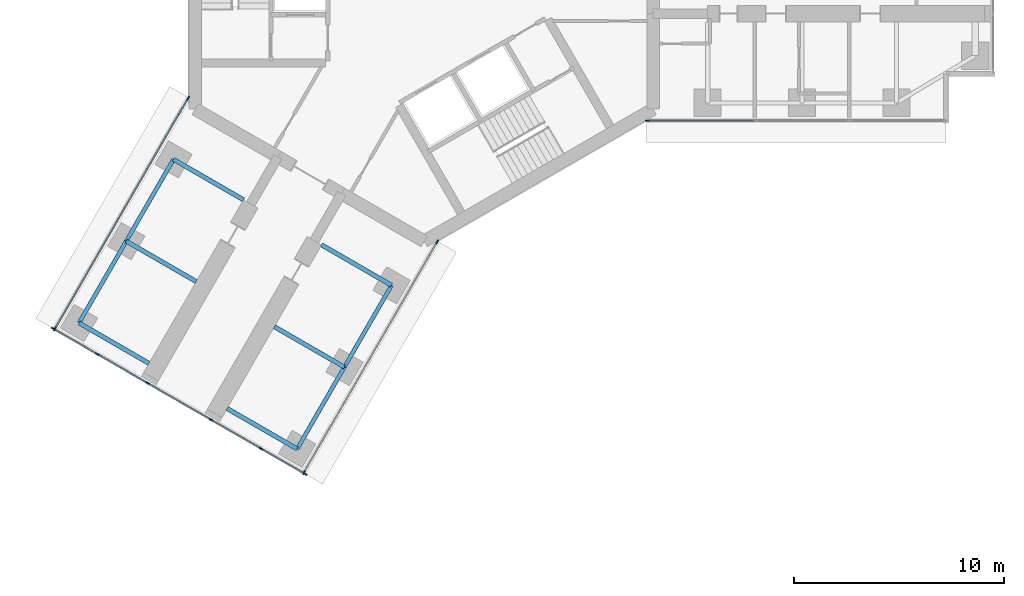
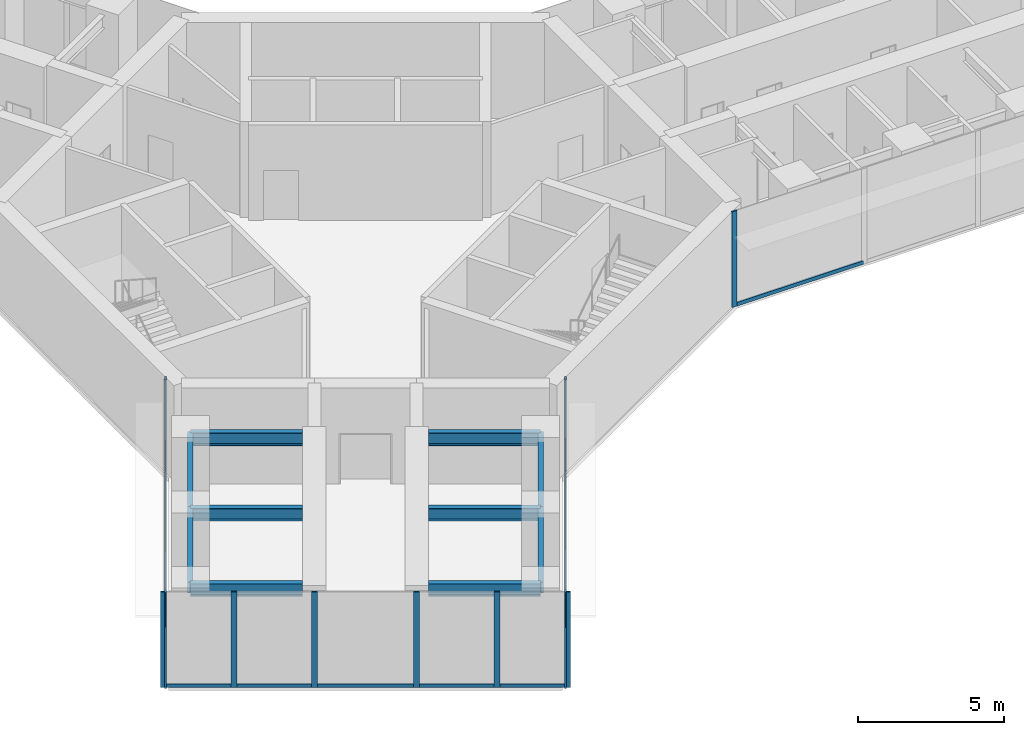
# One storey, part 2 of 22: 19 members, 10 beams, 4 elements without a shape of their own.
"""IFC4 building model written with IfcOpenShell, lengths in metres."""

import ifcopenshell
import ifcopenshell.guid

model = None  # the IFC model being written
_history = None  # IfcOwnerHistory: only IFC2X3 demands one
_inside = {}  # id of a spatial element -> (the spatial element, [elements in it])
_under = {}  # id of a project, library or spatial element -> (it, [spatial elements below it])
_declared = {}  # id of a project -> (the project, [libraries it declares])
_typed = {}  # id of a type object -> (the type object, [elements of that type])
_made_of = {}  # id of a material, layer set ... -> (it, [elements and type objects made of it])


def new_model(schema):
    """Start an empty IFC model of exactly this schema.

    Asked for "IFC4X3", IfcOpenShell would pick the latest addendum, in which some entities
    have other attributes; the version numbers below select the first issue.
    IFC2X3 requires an IfcOwnerHistory on every rooted entity: one is made here for all.
    """
    global model, _history
    if schema == "IFC4X3":
        model = ifcopenshell.file(schema_version=(4, 3, 0, 0))
    else:
        model = ifcopenshell.file(schema=schema)
    _inside.clear()
    _under.clear()
    _declared.clear()
    _typed.clear()
    _made_of.clear()
    _history = None
    if model.schema == "IFC2X3":
        org = make("IfcOrganization", Name="unknown")
        user = make(
            "IfcPersonAndOrganization",
            ThePerson=make("IfcPerson", FamilyName="unknown"),
            TheOrganization=org,
        )
        app = make(
            "IfcApplication",
            ApplicationDeveloper=org,
            Version="unknown",
            ApplicationFullName="unknown",
            ApplicationIdentifier="unknown",
        )
        _history = make(
            "IfcOwnerHistory",
            OwningUser=user,
            OwningApplication=app,
            ChangeAction="ADDED",
            CreationDate=0,
        )
    return model


def make(cls, **values):
    """One entity of the class cls with the attributes given. An attribute that is None is left unset."""
    return model.create_entity(
        cls, **{name: value for name, value in values.items() if value is not None}
    )


def rooted(cls, **values):
    """An entity with a GlobalId (a new one), such as an element, a storey or a relation."""
    return make(cls, GlobalId=ifcopenshell.guid.new(), OwnerHistory=_history, **values)


def si_unit(unit_type, name, prefix=None):
    """IfcSIUnit, for example si_unit("LENGTHUNIT", "METRE", prefix="MILLI")."""
    return make("IfcSIUnit", UnitType=unit_type, Prefix=prefix, Name=name)


def assignment(units):
    """IfcUnitAssignment: the units of a project."""
    return None if units is None else make("IfcUnitAssignment", Units=units)


def point(xyz):
    """IfcCartesianPoint."""
    return None if xyz is None else make("IfcCartesianPoint", Coordinates=xyz)


def direction(xyz):
    """IfcDirection."""
    return None if xyz is None else make("IfcDirection", DirectionRatios=xyz)


def frame(location, z_axis=None, x_axis=None):
    """IfcAxis2Placement3D, a coordinate frame: its origin and axes. An axis left out is left unset."""
    return make(
        "IfcAxis2Placement3D",
        Location=point(location),
        Axis=direction(z_axis),
        RefDirection=direction(x_axis),
    )


def frame_2d(location, x_axis=None):
    """IfcAxis2Placement2D, a coordinate frame in the plane: its origin and x axis."""
    return make(
        "IfcAxis2Placement2D", Location=point(location), RefDirection=direction(x_axis)
    )


def origin():
    """The frame at (0, 0, 0) with its axes left unset."""
    return frame((0.0, 0.0, 0.0))


def origin_2d():
    """The frame at (0, 0) in the plane with its x axis left unset."""
    return frame_2d((0.0, 0.0))


def place(relative_to, where):
    """IfcLocalPlacement: puts the frame where relative to a parent placement (None: the world)."""
    return make(
        "IfcLocalPlacement", PlacementRelTo=relative_to, RelativePlacement=where
    )


def context(
    kind, dimensions, precision=None, world=None, true_north=None, identifier=None
):
    """IfcGeometricRepresentationContext, for example the 3D "Model" context."""
    return make(
        "IfcGeometricRepresentationContext",
        ContextIdentifier=identifier,
        ContextType=kind,
        CoordinateSpaceDimension=dimensions,
        Precision=precision,
        WorldCoordinateSystem=world,
        TrueNorth=true_north,
    )


def subcontext(parent, identifier, kind, view, scale=None):
    """IfcGeometricRepresentationSubContext, for example "Body" below "Model"."""
    return make(
        "IfcGeometricRepresentationSubContext",
        ContextIdentifier=identifier,
        ContextType=kind,
        ParentContext=parent,
        TargetScale=scale,
        TargetView=view,
    )


def project(units=None, contexts=None):
    """IfcProject with its units and contexts."""
    return rooted(
        "IfcProject",
        Name="project",
        RepresentationContexts=contexts,
        UnitsInContext=assignment(units),
    )


def spatial(cls, under=None, at=None, **own):
    """A site, building, storey or space (cls), placed at a placement, below another one or the project."""
    s = rooted(cls, ObjectPlacement=at, **own)
    if under is not None:
        _under.setdefault(under.id(), (under, []))[1].append(s)
    return s


def profile(cls, at=None, kind="AREA", **sizes):
    """A parametric profile (cls). Its sizes go by their IFC names, for example OverallWidth=200.0."""
    return make(cls, ProfileType=kind, Position=at, **sizes)


def rectangle(**sizes):
    """IfcRectangleProfileDef."""
    return profile("IfcRectangleProfileDef", **sizes)


def i_section(**sizes):
    """IfcIShapeProfileDef."""
    return profile("IfcIShapeProfileDef", **sizes)


def extrude(swept, where, along, depth):
    """IfcExtrudedAreaSolid: the profile swept, set in the frame where, extruded along a direction by depth."""
    return make(
        "IfcExtrudedAreaSolid",
        SweptArea=swept,
        Position=where,
        ExtrudedDirection=direction(along),
        Depth=depth,
    )


def shape(context_of_items, identifier, shape_type, items):
    """IfcShapeRepresentation: the items that make up one representation, for example the "Body"."""
    return make(
        "IfcShapeRepresentation",
        ContextOfItems=context_of_items,
        RepresentationIdentifier=identifier,
        RepresentationType=shape_type,
        Items=items,
    )


def material(Name=None, Category=None):
    """IfcMaterial."""
    return make("IfcMaterial", Name=Name, Category=Category)


def material_profile(
    of_material, cross_section, Name=None, Category=None, Priority=None
):
    """IfcMaterialProfile: a cross section and its material."""
    return make(
        "IfcMaterialProfile",
        Name=Name,
        Material=of_material,
        Profile=cross_section,
        Priority=Priority,
        Category=Category,
    )


def profile_set(profiles, Name=None, composite=None):
    """IfcMaterialProfileSet."""
    return make(
        "IfcMaterialProfileSet",
        Name=Name,
        MaterialProfiles=profiles,
        CompositeProfile=composite,
    )


def made_of(thing, what):
    """Note that an element or type object is made of a material, layer set ...; save() writes the relation."""
    if what is not None:
        _made_of.setdefault(what.id(), (what, []))[1].append(thing)
    return thing


def type_object(cls, material=None, **own):
    """A type object (cls), such as IfcWallType, which elements share."""
    return made_of(rooted(cls, **own), material)


def element(
    cls,
    number,
    at=None,
    inside=None,
    cuts=None,
    type_object=None,
    material=None,
    context=None,
    identifier="Body",
    shape_type=None,
    held_by="IfcProductDefinitionShape",
    body=None,
    shapes=None,
    **own,
):
    """One element of the class cls, such as IfcWall. Its Tag is "e" and its number.

    at: its placement. inside: the storey or other place that contains it. cuts: it is an
    opening in that element (IfcRelVoidsElement). A single representation is given by context,
    identifier, shape_type and body (its items); several are given by shapes. held_by: the class
    of the entity that holds the representations. save() writes the other relations.
    """
    e = rooted(cls, Tag="e%d" % number, ObjectPlacement=at, **own)
    if body is not None:
        shapes = [shape(context, identifier, shape_type, body)]
    if shapes is not None:
        e.Representation = make(held_by, Representations=shapes)
    if inside is not None:
        _inside.setdefault(inside.id(), (inside, []))[1].append(e)
    if cuts is not None:
        rooted(
            "IfcRelVoidsElement", RelatingBuildingElement=cuts, RelatedOpeningElement=e
        )
    if type_object is not None:
        _typed.setdefault(type_object.id(), (type_object, []))[1].append(e)
    return made_of(e, material)


def aggregate(whole, parts):
    """IfcRelAggregates: a whole, such as a stair, and the parts it consists of."""
    return rooted("IfcRelAggregates", RelatingObject=whole, RelatedObjects=parts)


def save(model, path):
    """Write the relations noted so far, then the file.

    IfcRelAggregates (storeys below a building ...), IfcRelContainedInSpatialStructure (elements
    in a storey), IfcRelDefinesByType, IfcRelAssociatesMaterial and IfcRelDeclares: one each for
    every whole, place, type object, material and project.
    """
    for whole, parts in _under.values():
        aggregate(whole, parts)
    for where, things in _inside.values():
        rooted(
            "IfcRelContainedInSpatialStructure",
            RelatedElements=things,
            RelatingStructure=where,
        )
    for kind, things in _typed.values():
        rooted("IfcRelDefinesByType", RelatedObjects=things, RelatingType=kind)
    for what, things in _made_of.values():
        rooted("IfcRelAssociatesMaterial", RelatedObjects=things, RelatingMaterial=what)
    for by, libraries in _declared.values():
        rooted("IfcRelDeclares", RelatingContext=by, RelatedDefinitions=libraries)
    model.write(path)


model = new_model("IFC4")

# Units and contexts
model_context = context("Model", 3, precision=1e-05, world=origin(), true_north=direction((0.0, 1.0)))
body_context = subcontext(model_context, "Body", "Model", "MODEL_VIEW")
ifc_project = project(units=[si_unit("LENGTHUNIT", "METRE"), si_unit("AREAUNIT", "SQUARE_METRE"), si_unit("VOLUMEUNIT", "CUBIC_METRE"), si_unit("PLANEANGLEUNIT", "RADIAN"), si_unit("MASSUNIT", "GRAM", prefix="KILO")], contexts=[model_context])

# Site, building, storey
site_placement = place(None, origin())
site = spatial("IfcSite", under=ifc_project, at=site_placement, CompositionType="ELEMENT")
building_placement = place(site_placement, origin())
building = spatial("IfcBuilding", under=site, at=building_placement, Name="Upepo Twin Towers", CompositionType="ELEMENT")
storey_placement = place(building_placement, frame((0.0, 0.0, 137.5)))
storey = spatial("IfcBuildingStorey", under=building, at=storey_placement, Name="L33", CompositionType="ELEMENT", Elevation=137.5)

# Beams
ifc_material_1 = material(Name="Steel S355", Category="steel")
ifc_material_profile_1 = material_profile(ifc_material_1, i_section(OverallWidth=0.1904296875, OverallDepth=0.45703125, WebThickness=0.009033203125, FlangeThickness=0.014404296875, FilletRadius=0.01025390625, at=origin_2d()), Name="UB 457x191x74")
ifc_profile_set_1 = profile_set([ifc_material_profile_1], Name="Steel S355")
beam_type_1 = type_object("IfcBeamType", Name="Beam UB 457x191x74", PredefinedType="BEAM", material=ifc_profile_set_1)
beam_1_placement = place(storey_placement, frame((-1.553955078125, -14.69140625, 3.571533203125), z_axis=(-0.500013631625, -0.866017533419, 0.0), x_axis=(0.866017533419, -0.500013631625, 0.0)))
element("IfcBeam", 1, at=beam_1_placement, inside=storey, type_object=beam_type_1, Name="T1 edge beam CL 13.5-18.0", PredefinedType="BEAM", context=body_context, shape_type="SweptSolid", body=[
    extrude(i_section(OverallWidth=0.1904296875, OverallDepth=0.45703125, WebThickness=0.009033203125, FlangeThickness=0.014404296875, FilletRadius=0.01025390625, at=origin_2d()), origin(), (0.0, 0.0, 1.0), 4.499755859375),
])
beam_2_placement = place(storey_placement, frame((-3.803955078125, -18.58837890625, 3.571533203125), z_axis=(-0.499990139034, -0.866031096941, 0.0), x_axis=(0.866031096941, -0.499990139034, 0.0)))
element("IfcBeam", 2, at=beam_2_placement, inside=storey, type_object=beam_type_1, Name="T1 edge beam CL 18.0-22.5", PredefinedType="BEAM", context=body_context, shape_type="SweptSolid", body=[
    extrude(i_section(OverallWidth=0.1904296875, OverallDepth=0.45703125, WebThickness=0.009033203125, FlangeThickness=0.014404296875, FilletRadius=0.01025390625, at=origin_2d()), origin(), (0.0, 0.0, 1.0), 4.5),
])
beam_3_placement = place(storey_placement, frame((-11.946044921875, -8.69140625, 3.571533203125), z_axis=(-0.500013631625, -0.866017533419, 0.0), x_axis=(0.866017533419, -0.500013631625, 0.0)))
element("IfcBeam", 3, at=beam_3_placement, inside=storey, type_object=beam_type_1, Name="T1 edge beam CR 13.5-18.0", PredefinedType="BEAM", context=body_context, shape_type="SweptSolid", body=[
    extrude(i_section(OverallWidth=0.1904296875, OverallDepth=0.45703125, WebThickness=0.009033203125, FlangeThickness=0.014404296875, FilletRadius=0.01025390625, at=origin_2d()), origin(), (0.0, 0.0, 1.0), 4.499755859375),
])
beam_4_placement = place(storey_placement, frame((-14.196044921875, -12.58837890625, 3.571533203125), z_axis=(-0.499990139034, -0.866031096941, 0.0), x_axis=(0.866031096941, -0.499990139034, 0.0)))
element("IfcBeam", 4, at=beam_4_placement, inside=storey, type_object=beam_type_1, Name="T1 edge beam CR 18.0-22.5", PredefinedType="BEAM", context=body_context, shape_type="SweptSolid", body=[
    extrude(i_section(OverallWidth=0.1904296875, OverallDepth=0.45703125, WebThickness=0.009033203125, FlangeThickness=0.014404296875, FilletRadius=0.01025390625, at=origin_2d()), origin(), (0.0, 0.0, 1.0), 4.5),
])
ifc_material_2 = material(Name="Steel S355", Category="steel")
ifc_material_profile_2 = material_profile(ifc_material_2, i_section(OverallWidth=0.209228515625, OverallDepth=0.533203125, WebThickness=0.010009765625, FlangeThickness=0.015625, FilletRadius=0.0126953125, at=origin_2d()), Name="UB 533x210x92")
ifc_profile_set_2 = profile_set([ifc_material_profile_2], Name="Steel S355")
beam_type_2 = type_object("IfcBeamType", Name="Beam UB 533x210x92", PredefinedType="BEAM", material=ifc_profile_set_2)
beam_5_placement = place(storey_placement, frame((-1.553955078125, -14.69140625, 3.533447265625), z_axis=(-0.866006051527, 0.500033517596, 0.0), x_axis=(-0.500033517596, -0.866006051527, 0.0)))
element("IfcBeam", 5, at=beam_5_placement, inside=storey, type_object=beam_type_2, Name="T1 girder CL at 13.5", PredefinedType="BEAM", context=body_context, shape_type="SweptSolid", body=[
    extrude(i_section(OverallWidth=0.209228515625, OverallDepth=0.533203125, WebThickness=0.010009765625, FlangeThickness=0.015625, FilletRadius=0.0126953125, at=origin_2d()), origin(), (0.0, 0.0, 1.0), 3.849853515625),
])
beam_6_placement = place(storey_placement, frame((-3.803955078125, -18.58837890625, 3.533447265625), z_axis=(-0.866033512162, 0.499985955615, 0.0), x_axis=(-0.499985955615, -0.866033512162, 0.0)))
element("IfcBeam", 6, at=beam_6_placement, inside=storey, type_object=beam_type_2, Name="T1 girder CL at 18.0", PredefinedType="BEAM", context=body_context, shape_type="SweptSolid", body=[
    extrude(i_section(OverallWidth=0.209228515625, OverallDepth=0.533203125, WebThickness=0.010009765625, FlangeThickness=0.015625, FilletRadius=0.0126953125, at=origin_2d()), origin(), (0.0, 0.0, 1.0), 3.849609375),
])
for number, where, z_axis, x_axis, name in (
    (7, (-6.053955078125, -22.485595703125, 3.533447265625), (-0.866006051527, 0.500033517596, 0.0), (-0.500033517596, -0.866006051527, 0.0), "T1 girder CL at 22.5"),
    (8, (-11.946044921875, -8.69140625, 3.533447265625), (0.866006051527, -0.500033517596, 0.0), (0.500033517596, 0.866006051527, 0.0), "T1 girder CR at 13.5"),
    (9, (-14.196044921875, -12.58837890625, 3.533447265625), (0.866006051527, -0.500033517596, 0.0), (0.500033517596, 0.866006051527, 0.0), "T1 girder CR at 18.0"),
    (10, (-16.446044921875, -16.485595703125, 3.533447265625), (0.866006051527, -0.500033517596, 0.0), (0.500033517596, 0.866006051527, 0.0), "T1 girder CR at 22.5"),
):
    element("IfcBeam", number, at=place(storey_placement, frame(where, z_axis=z_axis, x_axis=x_axis)), inside=storey, type_object=beam_type_2, Name=name, PredefinedType="BEAM", context=body_context, shape_type="SweptSolid", body=[
        extrude(i_section(OverallWidth=0.209228515625, OverallDepth=0.533203125, WebThickness=0.010009765625, FlangeThickness=0.015625, FilletRadius=0.0126953125, at=origin_2d()), origin(), (0.0, 0.0, 1.0), 3.849853515625),
    ])

# Curtain wall, member
ifc_material_3 = material(Name="Aluminium and fritted glass", Category="aluminium")
curtain_wall_type = type_object("IfcCurtainWallType", Name="Tower curtain wall TW2, fritted glass", PredefinedType="NOTDEFINED", material=ifc_material_3)
curtain_wall_1_placement = place(storey_placement, origin())
curtain_wall_1 = element("IfcCurtainWall", 11, at=curtain_wall_1_placement, inside=storey, type_object=curtain_wall_type, Name="T1 L33 wing A flank R curtain wall", PredefinedType="NOTDEFINED")
ifc_material_4 = material(Name="Aluminium mullion", Category="aluminium")
ifc_material_profile_3 = material_profile(ifc_material_4, rectangle(XDim=0.06494140625, YDim=0.199951171875, at=origin_2d()), Name="MULLION 65x200")
ifc_profile_set_3 = profile_set([ifc_material_profile_3], Name="Aluminium mullion")
member_type_1 = type_object("IfcMemberType", Name="Mullion 65x200 TW2", PredefinedType="MULLION", material=ifc_profile_set_3)
member_1_placement = place(storey_placement, frame((10.61962890625, -6.85009765625, 0.0), z_axis=(0.0, 0.0, 1.0), x_axis=(0.0, -1.0, 0.0)))
member_1 = element("IfcMember", 12, at=member_1_placement, type_object=member_type_1, Name="T1 L33 wing A flank R curtain wall mullion 4", PredefinedType="MULLION", context=body_context, shape_type="SweptSolid", body=[
    extrude(rectangle(XDim=0.06494140625, YDim=0.199951171875, at=origin_2d()), origin(), (0.0, 0.0, 1.0), 4.0),
])

# Curtain wall, members
curtain_wall_2_placement = place(storey_placement, origin())
curtain_wall_2 = element("IfcCurtainWall", 13, at=curtain_wall_2_placement, inside=storey, type_object=curtain_wall_type, Name="T1 L33 wing C flank L curtain wall", PredefinedType="NOTDEFINED")
member_2_placement = place(storey_placement, frame((0.62255859375, -12.621826171875, 0.0), z_axis=(0.0, 0.0, 1.0), x_axis=(0.866025399212, -0.50000000792, 0.0)))
member_2 = element("IfcMember", 14, at=member_2_placement, type_object=member_type_1, Name="T1 L33 wing C flank L curtain wall mullion 1", PredefinedType="MULLION", context=body_context, shape_type="SweptSolid", body=[
    extrude(rectangle(XDim=0.06494140625, YDim=0.199951171875, at=origin_2d()), origin(), (0.0, 0.0, 1.0), 4.0),
])
member_3_placement = place(storey_placement, frame((-5.7265625, -23.61865234375, 0.0), z_axis=(0.0, 0.0, 1.0), x_axis=(0.866025399212, -0.50000000792, 0.0)))
member_3 = element("IfcMember", 15, at=member_3_placement, type_object=member_type_1, Name="T1 L33 wing C flank L curtain wall mullion 2", PredefinedType="MULLION", context=body_context, shape_type="SweptSolid", body=[
    extrude(rectangle(XDim=0.06494140625, YDim=0.199951171875, at=origin_2d()), origin(), (0.0, 0.0, 1.0), 4.0),
])

curtain_wall_3_placement = place(storey_placement, origin())
curtain_wall_3 = element("IfcCurtainWall", 16, at=curtain_wall_3_placement, inside=storey, type_object=curtain_wall_type, Name="T1 L33 wing C flank R curtain wall", PredefinedType="NOTDEFINED")
member_4_placement = place(storey_placement, frame((-17.591064453125, -16.7685546875, 0.0), z_axis=(0.0, 0.0, 1.0), x_axis=(-0.866025399212, 0.50000000792, 0.0)))
member_4 = element("IfcMember", 17, at=member_4_placement, type_object=member_type_1, Name="T1 L33 wing C flank R curtain wall mullion 1", PredefinedType="MULLION", context=body_context, shape_type="SweptSolid", body=[
    extrude(rectangle(XDim=0.06494140625, YDim=0.199951171875, at=origin_2d()), origin(), (0.0, 0.0, 1.0), 4.0),
])
member_5_placement = place(storey_placement, frame((-11.2421875, -5.77197265625, 0.0), z_axis=(0.0, 0.0, 1.0), x_axis=(-0.866025399212, 0.50000000792, 0.0)))
member_5 = element("IfcMember", 18, at=member_5_placement, type_object=member_type_1, Name="T1 L33 wing C flank R curtain wall mullion 2", PredefinedType="MULLION", context=body_context, shape_type="SweptSolid", body=[
    extrude(rectangle(XDim=0.06494140625, YDim=0.199951171875, at=origin_2d()), origin(), (0.0, 0.0, 1.0), 4.0),
])

curtain_wall_4_placement = place(storey_placement, origin())
curtain_wall_4 = element("IfcCurtainWall", 19, at=curtain_wall_4_placement, inside=storey, type_object=curtain_wall_type, Name="T1 L33 wing C nose curtain wall", PredefinedType="NOTDEFINED")
member_6_placement = place(storey_placement, frame((-17.665771484375, -16.762939453125, 0.0), z_axis=(0.0, 0.0, 1.0), x_axis=(0.499999972355, 0.866025419745, 0.0)))
member_6 = element("IfcMember", 20, at=member_6_placement, type_object=member_type_1, Name="T1 L33 wing C nose curtain wall mullion 1", PredefinedType="MULLION", context=body_context, shape_type="SweptSolid", body=[
    extrude(rectangle(XDim=0.06494140625, YDim=0.199951171875, at=origin_2d()), origin(), (0.0, 0.0, 1.0), 4.0),
])
member_7_placement = place(storey_placement, frame((-15.572021484375, -17.9716796875, 0.0), z_axis=(0.0, 0.0, 1.0), x_axis=(0.499999972355, 0.866025419745, 0.0)))
member_7 = element("IfcMember", 21, at=member_7_placement, type_object=member_type_1, Name="T1 L33 wing C nose curtain wall mullion 2", PredefinedType="MULLION", context=body_context, shape_type="SweptSolid", body=[
    extrude(rectangle(XDim=0.06494140625, YDim=0.199951171875, at=origin_2d()), origin(), (0.0, 0.0, 1.0), 4.0),
])
member_8_placement = place(storey_placement, frame((-13.1904296875, -19.3466796875, 0.0), z_axis=(0.0, 0.0, 1.0), x_axis=(0.499999972355, 0.866025419745, 0.0)))
member_8 = element("IfcMember", 22, at=member_8_placement, type_object=member_type_1, Name="T1 L33 wing C nose curtain wall mullion 3", PredefinedType="MULLION", context=body_context, shape_type="SweptSolid", body=[
    extrude(rectangle(XDim=0.06494140625, YDim=0.199951171875, at=origin_2d()), origin(), (0.0, 0.0, 1.0), 4.0),
])
member_9_placement = place(storey_placement, frame((-10.159423828125, -21.0966796875, 0.0), z_axis=(0.0, 0.0, 1.0), x_axis=(0.499999972355, 0.866025419745, 0.0)))
member_9 = element("IfcMember", 23, at=member_9_placement, type_object=member_type_1, Name="T1 L33 wing C nose curtain wall mullion 4", PredefinedType="MULLION", context=body_context, shape_type="SweptSolid", body=[
    extrude(rectangle(XDim=0.06494140625, YDim=0.199951171875, at=origin_2d()), origin(), (0.0, 0.0, 1.0), 4.0),
])
member_10_placement = place(storey_placement, frame((-7.77783203125, -22.4716796875, 0.0), z_axis=(0.0, 0.0, 1.0), x_axis=(0.499999972355, 0.866025419745, 0.0)))
member_10 = element("IfcMember", 24, at=member_10_placement, type_object=member_type_1, Name="T1 L33 wing C nose curtain wall mullion 5", PredefinedType="MULLION", context=body_context, shape_type="SweptSolid", body=[
    extrude(rectangle(XDim=0.06494140625, YDim=0.199951171875, at=origin_2d()), origin(), (0.0, 0.0, 1.0), 4.0),
])
member_11_placement = place(storey_placement, frame((-5.684326171875, -23.680419921875, 0.0), z_axis=(0.0, 0.0, 1.0), x_axis=(0.499999972355, 0.866025419745, 0.0)))
member_11 = element("IfcMember", 25, at=member_11_placement, type_object=member_type_1, Name="T1 L33 wing C nose curtain wall mullion 6", PredefinedType="MULLION", context=body_context, shape_type="SweptSolid", body=[
    extrude(rectangle(XDim=0.06494140625, YDim=0.199951171875, at=origin_2d()), origin(), (0.0, 0.0, 1.0), 4.0),
])

# Member
ifc_material_5 = material(Name="Aluminium transom", Category="aluminium")
ifc_material_profile_4 = material_profile(ifc_material_5, rectangle(XDim=0.06494140625, YDim=0.14990234375, at=origin_2d()), Name="TRANSOM 65x150")
ifc_profile_set_4 = profile_set([ifc_material_profile_4], Name="Aluminium transom")
member_type_2 = type_object("IfcMemberType", Name="Transom 65x150 TW2", PredefinedType="USERDEFINED", material=ifc_profile_set_4)
member_12_placement = place(storey_placement, frame((15.717529296875, -6.85009765625, 0.074951171875), z_axis=(-1.0, 0.0, 0.0), x_axis=(0.0, -1.0, 0.0)))
member_12 = element("IfcMember", 26, at=member_12_placement, type_object=member_type_2, Name="T1 L33 wing A flank R curtain wall transom 3", ObjectType="TRANSOM", PredefinedType="USERDEFINED", context=body_context, shape_type="SweptSolid", body=[
    extrude(rectangle(XDim=0.06494140625, YDim=0.14990234375, at=origin_2d()), origin(), (0.0, 0.0, 1.0), 5.0654296875),
])

aggregate(curtain_wall_1, [member_1, member_12])

member_13_placement = place(storey_placement, frame((0.606201171875, -12.64990234375, 0.074951171875), z_axis=(-0.499996807431, -0.866027247007, 0.0), x_axis=(0.866027247007, -0.499996807431, 0.0)))
member_13 = element("IfcMember", 27, at=member_13_placement, type_object=member_type_2, Name="T1 L33 wing C flank L curtain wall transom 1", ObjectType="TRANSOM", PredefinedType="USERDEFINED", context=body_context, shape_type="SweptSolid", body=[
    extrude(rectangle(XDim=0.06494140625, YDim=0.14990234375, at=origin_2d()), origin(), (0.0, 0.0, 1.0), 12.6328125),
])

aggregate(curtain_wall_2, [member_2, member_3, member_13])

member_14_placement = place(storey_placement, frame((-17.57470703125, -16.740478515625, 0.074951171875), z_axis=(0.499996807431, 0.866027247007, 0.0), x_axis=(-0.866027247007, 0.499996807431, 0.0)))
member_14 = element("IfcMember", 28, at=member_14_placement, type_object=member_type_2, Name="T1 L33 wing C flank R curtain wall transom 1", ObjectType="TRANSOM", PredefinedType="USERDEFINED", context=body_context, shape_type="SweptSolid", body=[
    extrude(rectangle(XDim=0.06494140625, YDim=0.14990234375, at=origin_2d()), origin(), (0.0, 0.0, 1.0), 12.6328125),
])

aggregate(curtain_wall_3, [member_4, member_5, member_14])

member_15_placement = place(storey_placement, frame((-17.6376953125, -16.779296875, 0.074951171875), z_axis=(0.866069800327, -0.499923095048, 0.0), x_axis=(0.499923095048, 0.866069800327, 0.0)))
member_15 = element("IfcMember", 29, at=member_15_placement, type_object=member_type_2, Name="T1 L33 wing C nose curtain wall transom 1", ObjectType="TRANSOM", PredefinedType="USERDEFINED", context=body_context, shape_type="SweptSolid", body=[
    extrude(rectangle(XDim=0.06494140625, YDim=0.14990234375, at=origin_2d()), origin(), (0.0, 0.0, 1.0), 2.352294921875),
])

member_16_placement = place(storey_placement, frame((-15.5439453125, -17.988037109375, 0.074951171875), z_axis=(0.8660523339, -0.49995335277, 0.0), x_axis=(0.49995335277, 0.8660523339, 0.0)))
member_16 = element("IfcMember", 30, at=member_16_placement, type_object=member_type_2, Name="T1 L33 wing C nose curtain wall transom 2", ObjectType="TRANSOM", PredefinedType="USERDEFINED", context=body_context, shape_type="SweptSolid", body=[
    extrude(rectangle(XDim=0.06494140625, YDim=0.14990234375, at=origin_2d()), origin(), (0.0, 0.0, 1.0), 2.684814453125),
])

member_17_placement = place(storey_placement, frame((-13.162353515625, -19.363037109375, 0.074951171875), z_axis=(0.866056579774, -0.499945997713, 0.0), x_axis=(0.499945997713, 0.866056579774, 0.0)))
member_17 = element("IfcMember", 31, at=member_17_placement, type_object=member_type_2, Name="T1 L33 wing C nose curtain wall transom 3", ObjectType="TRANSOM", PredefinedType="USERDEFINED", context=body_context, shape_type="SweptSolid", body=[
    extrude(rectangle(XDim=0.06494140625, YDim=0.14990234375, at=origin_2d()), origin(), (0.0, 0.0, 1.0), 3.43505859375),
])

member_18_placement = place(storey_placement, frame((-10.13134765625, -21.113037109375, 0.074951171875), z_axis=(0.8660523339, -0.49995335277, 0.0), x_axis=(0.49995335277, 0.8660523339, 0.0)))
member_18 = element("IfcMember", 32, at=member_18_placement, type_object=member_type_2, Name="T1 L33 wing C nose curtain wall transom 4", ObjectType="TRANSOM", PredefinedType="USERDEFINED", context=body_context, shape_type="SweptSolid", body=[
    extrude(rectangle(XDim=0.06494140625, YDim=0.14990234375, at=origin_2d()), origin(), (0.0, 0.0, 1.0), 2.684814453125),
])

member_19_placement = place(storey_placement, frame((-7.749755859375, -22.488037109375, 0.074951171875), z_axis=(0.866024864377, -0.50000093428, 0.0), x_axis=(0.50000093428, 0.866024864377, 0.0)))
member_19 = element("IfcMember", 33, at=member_19_placement, type_object=member_type_2, Name="T1 L33 wing C nose curtain wall transom 5", ObjectType="TRANSOM", PredefinedType="USERDEFINED", context=body_context, shape_type="SweptSolid", body=[
    extrude(rectangle(XDim=0.06494140625, YDim=0.14990234375, at=origin_2d()), origin(), (0.0, 0.0, 1.0), 2.3525390625),
])

aggregate(curtain_wall_4, [member_6, member_7, member_8, member_9, member_10, member_11, member_15, member_16, member_17, member_18, member_19])

save(model, "model.ifc")
